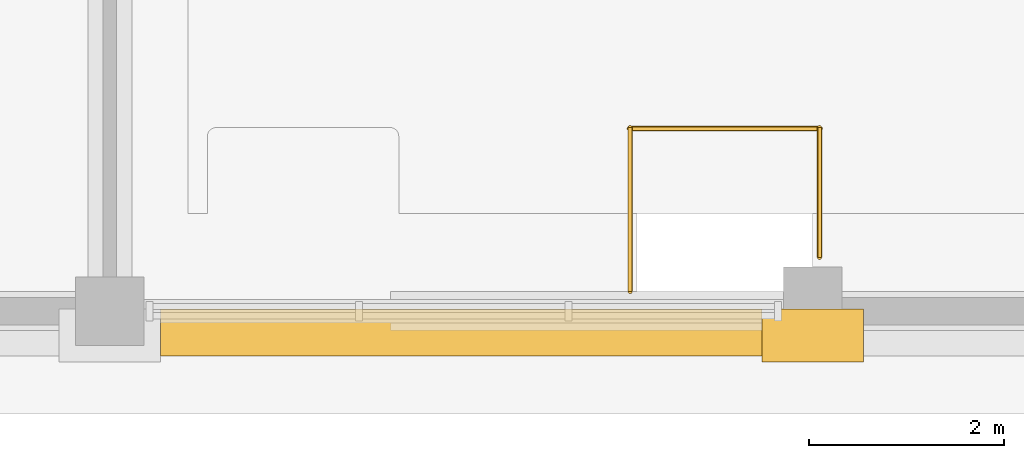
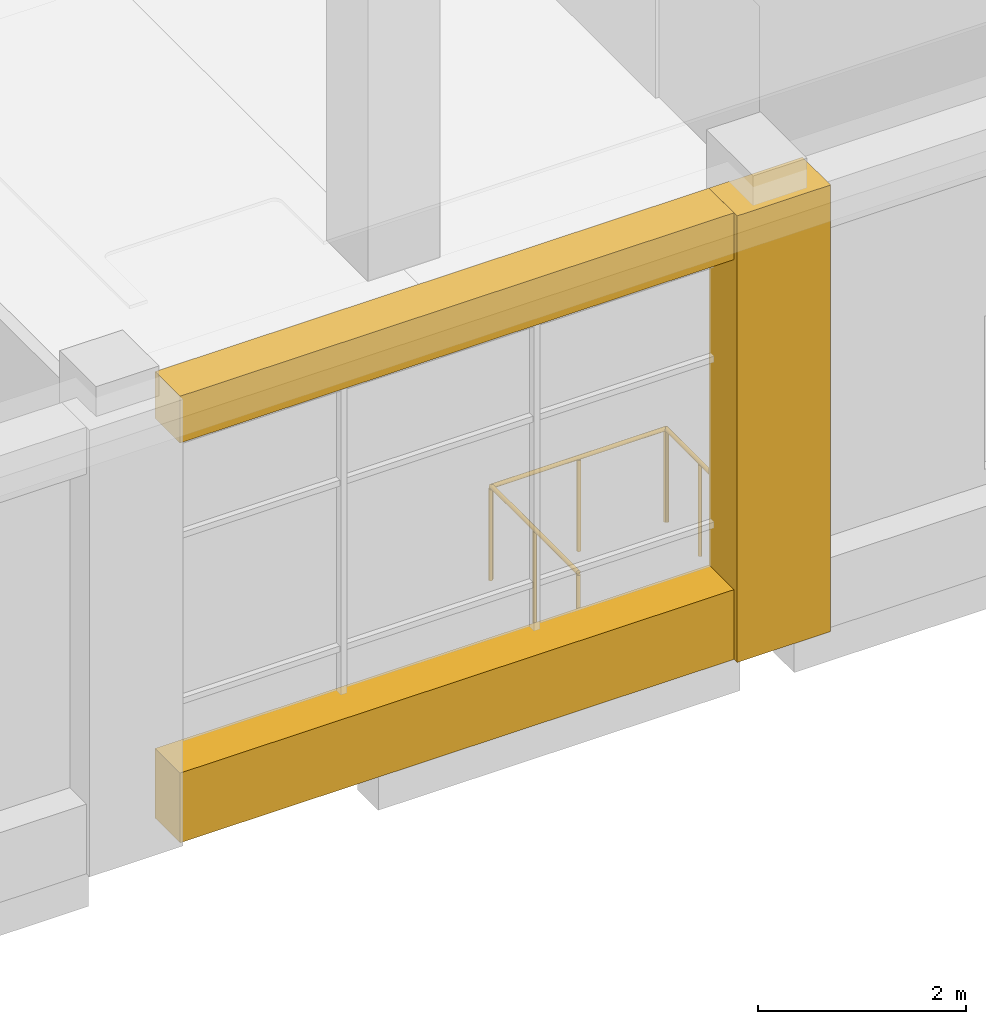
# One storey, part 67 of 80: 3 coverings, 3 railings.
"""IFC4 building model written with IfcOpenShell, lengths in metres."""

from ifc_helpers import new_model, si_unit, direction, frame, origin, origin_2d, place, context, subcontext, project, spatial, polyline, circle, outline, extrude, material, layer, layer_set, type_object, element, save


model = new_model("IFC4")

# Units and contexts
model_context = context("Model", 3, precision=1e-05, world=origin(), true_north=direction((0.0, 1.0)))
body_context = subcontext(model_context, "Body", "Model", "MODEL_VIEW")
ifc_project = project(units=[si_unit("LENGTHUNIT", "METRE"), si_unit("AREAUNIT", "SQUARE_METRE"), si_unit("VOLUMEUNIT", "CUBIC_METRE"), si_unit("PLANEANGLEUNIT", "RADIAN"), si_unit("MASSUNIT", "GRAM", prefix="KILO")], contexts=[model_context])

# Site, building, storey
site_placement = place(None, origin())
site = spatial("IfcSite", under=ifc_project, at=site_placement, CompositionType="ELEMENT")
building_placement = place(site_placement, origin())
building = spatial("IfcBuilding", under=site, at=building_placement, Name="Sardonyx Promenade Sports Hall", CompositionType="ELEMENT")
storey_placement = place(building_placement, frame((0.0, 0.0, 5.60009765625)))
storey = spatial("IfcBuildingStorey", under=building, at=storey_placement, Name="L01", CompositionType="ELEMENT", Elevation=5.60009765625)

# Coverings
ifc_material_1 = material(Name="Dressed Cape red sandstone ashlar", Category="masonry")
ifc_layer = layer(ifc_material_1, 0.06005859375)
ifc_layer_set = layer_set([ifc_layer], Name="Cov_Cladding_Sandstone")
covering_type = type_object("IfcCoveringType", Name="Cov_Cladding_Sandstone", PredefinedType="CLADDING", material=ifc_layer_set)
covering_1_placement = place(storey_placement, origin())
element("IfcCovering", 1, at=covering_1_placement, inside=storey, type_object=covering_type, Name="South sandstone bay pier casing L01 #11", PredefinedType="CLADDING", context=body_context, shape_type="SweptSolid", body=[
    extrude(outline(polyline([(78.679931640625, -0.52001953125), (79.719970703125, -0.52001953125), (79.719970703125, 0.02001953125), (78.679931640625, 0.02001953125), (78.679931640625, -0.52001953125)])), origin(), (0.0, 0.0, 1.0), 5.25),
])
covering_2_placement = place(storey_placement, origin())
element("IfcCovering", 2, at=covering_2_placement, inside=storey, type_object=covering_type, Name="South sandstone sill spandrel L01 #12", PredefinedType="CLADDING", context=body_context, shape_type="SweptSolid", body=[
    extrude(outline(polyline([(72.52001953125, -0.4599609375), (78.679931640625, -0.4599609375), (78.679931640625, 0.02001953125), (72.52001953125, 0.02001953125), (72.52001953125, -0.4599609375)])), origin(), (0.0, 0.0, 1.0), 0.81982421875),
])
covering_3_placement = place(storey_placement, frame((0.0, 0.0, 4.699951171875)))
element("IfcCovering", 3, at=covering_3_placement, inside=storey, type_object=covering_type, Name="South sandstone lintel frieze L01 #12", PredefinedType="CLADDING", context=body_context, shape_type="SweptSolid", body=[
    extrude(outline(polyline([(72.52001953125, -0.4599609375), (78.679931640625, -0.4599609375), (78.679931640625, 0.02001953125), (72.52001953125, 0.02001953125), (72.52001953125, -0.4599609375)])), origin(), (0.0, 0.0, 1.0), 0.550048828125),
])

# Railings
ifc_material_2 = material(Name="Powder-coated Steel S355JR", Category="steel")
railing_type = type_object("IfcRailingType", Name="Rail_Int_Guard_1100", PredefinedType="GUARDRAIL", material=ifc_material_2)
railing_1_placement = place(storey_placement, frame((77.330078125, 0.199951171875, 0.0)))
element("IfcRailing", 4, at=railing_1_placement, inside=storey, type_object=railing_type, Name="Deck-edge guardrail GR02 L01 #4", PredefinedType="GUARDRAIL", context=body_context, shape_type="SweptSolid", body=[
    extrude(circle(Radius=0.02392578125, at=origin_2d()), frame((0.0, 0.0, 1.09619140625), z_axis=(0.0, 1.0, 0.0), x_axis=(-1.0, 0.0, 0.0)), (0.0, 0.0, 1.0), 1.679931640625),
    extrude(circle(Radius=0.02099609375, at=origin_2d()), origin(), (0.0, 0.0, 1.0), 1.072021484375),
    extrude(circle(Radius=0.02099609375, at=origin_2d()), frame((0.0, 0.83984375, 0.0)), (0.0, 0.0, 1.0), 1.072021484375),
    extrude(circle(Radius=0.02099609375, at=origin_2d()), frame((0.0, 1.679931640625, 0.0)), (0.0, 0.0, 1.0), 1.072021484375),
])
railing_2_placement = place(storey_placement, frame((77.320068359375, 1.8701171875, 0.0)))
element("IfcRailing", 5, at=railing_2_placement, inside=storey, type_object=railing_type, Name="Deck-edge guardrail GR02 L01 #5", PredefinedType="GUARDRAIL", context=body_context, shape_type="SweptSolid", body=[
    extrude(circle(Radius=0.02392578125, at=origin_2d()), frame((0.0, 0.0, 1.09619140625), z_axis=(1.0, 0.0, 0.0), x_axis=(0.0, 1.0, 0.0)), (0.0, 0.0, 1.0), 1.9599609375),
    extrude(circle(Radius=0.02099609375, at=origin_2d()), origin(), (0.0, 0.0, 1.0), 1.072021484375),
    extrude(circle(Radius=0.02099609375, at=origin_2d()), frame((0.97998046875, 0.0, 0.0)), (0.0, 0.0, 1.0), 1.072021484375),
    extrude(circle(Radius=0.02099609375, at=origin_2d()), frame((1.9599609375, 0.0, 0.0)), (0.0, 0.0, 1.0), 1.072021484375),
])
railing_3_placement = place(storey_placement, frame((79.27001953125, 1.8798828125, 0.0)))
element("IfcRailing", 6, at=railing_3_placement, inside=storey, type_object=railing_type, Name="Deck-edge guardrail GR02 L01 #6", PredefinedType="GUARDRAIL", context=body_context, shape_type="SweptSolid", body=[
    extrude(circle(Radius=0.02392578125, at=origin_2d()), frame((0.0, 0.0, 1.09619140625), z_axis=(0.0, -1.0, 0.0), x_axis=(1.0, 0.0, 0.0)), (0.0, 0.0, 1.0), 1.329833984375),
    extrude(circle(Radius=0.02099609375, at=origin_2d()), origin(), (0.0, 0.0, 1.0), 1.072021484375),
    extrude(circle(Radius=0.02099609375, at=origin_2d()), frame((0.0, -0.6650390625, 0.0)), (0.0, 0.0, 1.0), 1.072021484375),
    extrude(circle(Radius=0.02099609375, at=origin_2d()), frame((0.0, -1.329833984375, 0.0)), (0.0, 0.0, 1.0), 1.072021484375),
])

save(model, "model.ifc")
